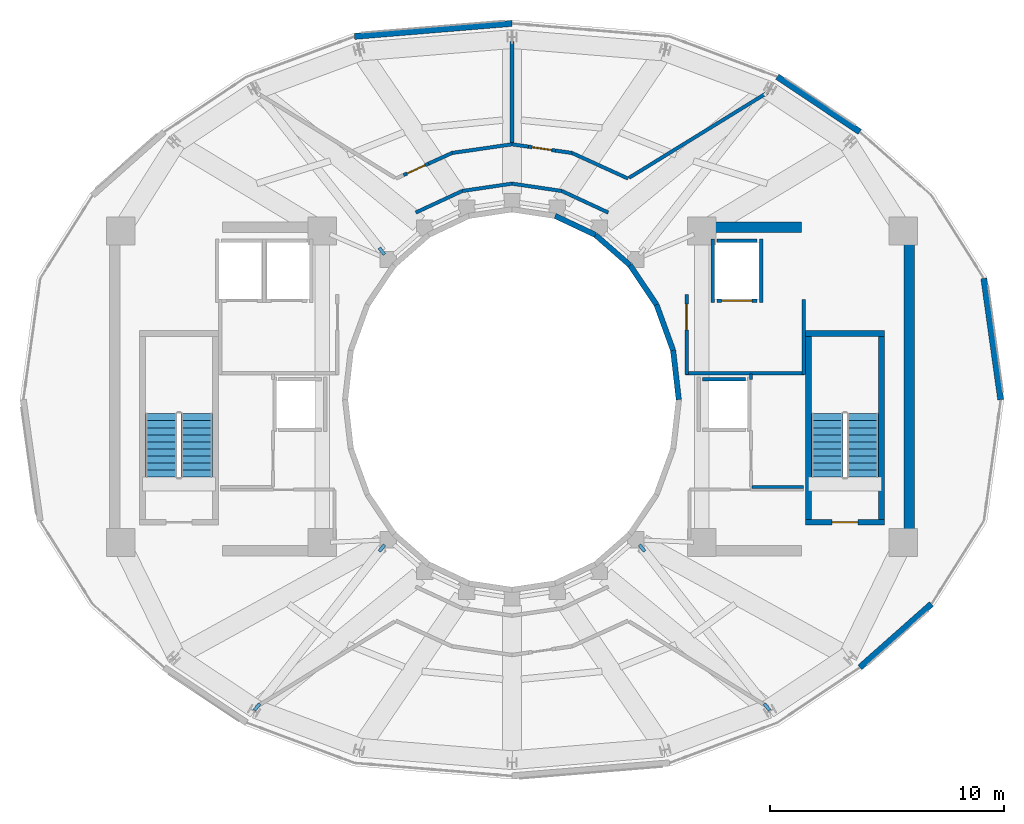
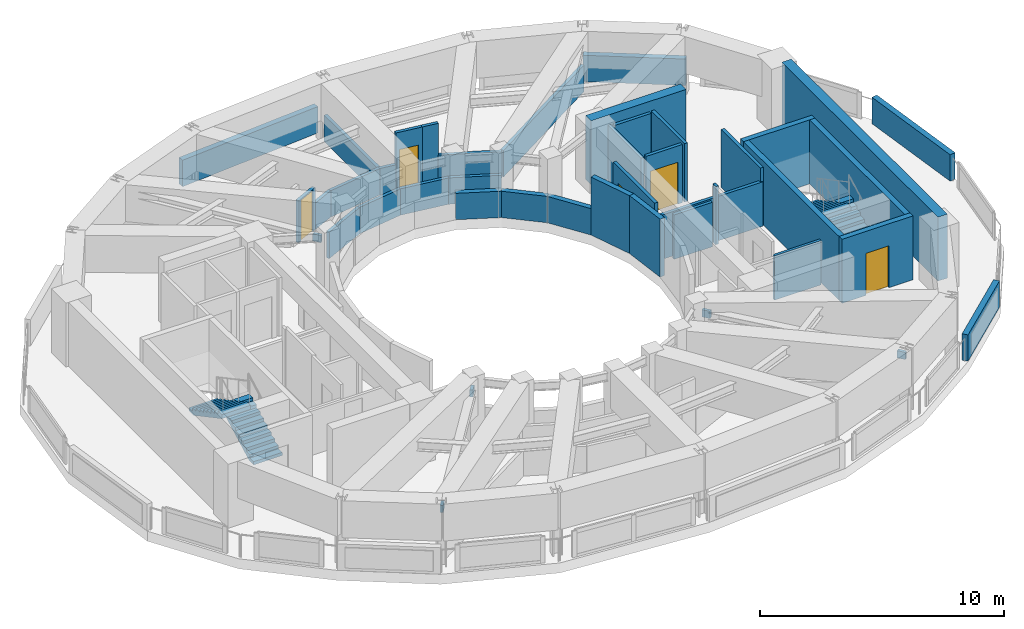
# One storey, part 17 of 21: 38 walls, 5 discrete accessories, 5 doors, 4 stair flights, 5 openings, 2 elements without a shape of their own.
"""IFC4 building model written with IfcOpenShell, lengths in metres."""

from ifc_helpers import new_model, si_unit, direction, frame, frame_2d, origin, origin_2d, place, context, subcontext, project, spatial, polyline, rectangle, outline, extrude, material, layer, layer_set, type_object, element, fill, aggregate, save


model = new_model("IFC4")

# Units and contexts
model_context = context("Model", 3, precision=1e-05, world=origin(), true_north=direction((0.0, 1.0)))
body_context = subcontext(model_context, "Body", "Model", "MODEL_VIEW")
ifc_project = project(units=[si_unit("LENGTHUNIT", "METRE"), si_unit("AREAUNIT", "SQUARE_METRE"), si_unit("VOLUMEUNIT", "CUBIC_METRE"), si_unit("PLANEANGLEUNIT", "RADIAN"), si_unit("MASSUNIT", "GRAM", prefix="KILO")], contexts=[model_context])

# Site, building, storey
site_placement = place(None, origin())
site = spatial("IfcSite", under=ifc_project, at=site_placement, CompositionType="ELEMENT")
building_placement = place(site_placement, origin())
building = spatial("IfcBuilding", under=site, at=building_placement, Name="Solvane Sanctuary Tower", CompositionType="ELEMENT")
storey_placement = place(building_placement, frame((0.0, 0.0, 260.39990234375)))
storey = spatial("IfcBuildingStorey", under=building, at=storey_placement, Name="L79", CompositionType="ELEMENT", Elevation=260.39990234375)

# Walls
ifc_material_1 = material(Name="Concrete C50/60", Category="concrete")
ifc_layer_1 = layer(ifc_material_1, 0.449951171875, Name="Concrete C50/60")
ifc_layer_set_1 = layer_set([ifc_layer_1], Name="Concrete C50/60")
wall_type_1 = type_object("IfcWallType", Name="Wall W-CORE-450", PredefinedType="SHEAR", material=ifc_layer_set_1)
wall_1_placement = place(storey_placement, frame((48.949951171875, 17.050048828125, 0.0), z_axis=(0.0, 0.0, 1.0), x_axis=(0.0, 1.0, 0.0)))
element("IfcWall", 1, at=wall_1_placement, inside=storey, type_object=wall_type_1, Name="L79 Core Shear Wall EC-E", PredefinedType="SHEAR", context=body_context, shape_type="SweptSolid", body=[
    extrude(rectangle(XDim=12.800048828125, YDim=0.449951171875, at=frame_2d((6.39990234375, 0.0))), origin(), (0.0, 0.0, 1.0), 3.2001953125),
])
wall_2_placement = place(storey_placement, frame((39.85009765625, 30.35009765625, 0.0), z_axis=(0.0, 0.0, 1.0), x_axis=(1.0, 0.0, 0.0)))
element("IfcWall", 2, at=wall_2_placement, inside=storey, type_object=wall_type_1, Name="L79 Core Shear Wall EC-N", PredefinedType="SHEAR", context=body_context, shape_type="SweptSolid", body=[
    extrude(rectangle(XDim=4.5, YDim=0.449951171875, at=frame_2d((2.25, 0.0))), origin(), (0.0, 0.0, 1.0), 3.2001953125),
])
ifc_material_2 = material(Name="Acoustic Gypsum Partition Board")
ifc_layer_2 = layer(ifc_material_2, 0.14990234375, Name="Acoustic Gypsum Partition Board")
ifc_layer_set_2 = layer_set([ifc_layer_2], Name="Acoustic Gypsum Partition Board")
wall_type_2 = type_object("IfcWallType", Name="Wall W-CORR-150", PredefinedType="PARTITIONING", material=ifc_layer_set_2)
wall_3_placement = place(storey_placement, frame((39.39990234375, 24.1201171875, 0.0), z_axis=(0.0, 0.0, 1.0), x_axis=(1.0, 0.0, 0.0)))
element("IfcWall", 3, at=wall_3_placement, inside=storey, type_object=wall_type_2, Name="L79 East Firefighting Lobby South Wall", PredefinedType="PARTITIONING", context=body_context, shape_type="SweptSolid", body=[
    extrude(rectangle(XDim=5.080078125, YDim=0.14990234375, at=frame_2d((2.5400390625, 0.0))), origin(), (0.0, 0.0, 1.0), 2.22021484375),
])
wall_4_placement = place(storey_placement, frame((44.449951171875, 24.080078125, 0.0), z_axis=(0.0, 0.0, 1.0), x_axis=(0.0, 1.0, 0.0)))
element("IfcWall", 4, at=wall_4_placement, inside=storey, type_object=wall_type_2, Name="L79 East Firefighting Lobby East Wall", PredefinedType="PARTITIONING", context=body_context, shape_type="SweptSolid", body=[
    extrude(rectangle(XDim=3.199951171875, YDim=0.14990234375, at=frame_2d((1.60009765625, 0.0))), origin(), (0.0, 0.0, 1.0), 2.9150390625),
])

# Wall, opening, door
wall_5_placement = place(storey_placement, frame((39.449951171875, 24.080078125, 0.0), z_axis=(0.0, 0.0, 1.0), x_axis=(0.0, 1.0, 0.0)))
wall_5 = element("IfcWall", 5, at=wall_5_placement, inside=storey, type_object=wall_type_2, Name="L79 East Firefighting Lobby West Wall", PredefinedType="PARTITIONING", context=body_context, shape_type="SweptSolid", body=[
    extrude(rectangle(XDim=3.39990234375, YDim=0.14990234375, at=frame_2d((1.699951171875, 0.0))), origin(), (0.0, 0.0, 1.0), 2.9150390625),
])
opening_1_placement = place(wall_5_placement, frame((1.893798828125, 0.0, 0.0)))
opening_1 = element("IfcOpeningElement", 6, at=opening_1_placement, cuts=wall_5, Name="Opening D-L79-04", PredefinedType="OPENING", context=body_context, shape_type="SweptSolid", body=[
    extrude(rectangle(XDim=1.10009765625, YDim=2.10009765625, at=frame_2d((0.550048828125, 1.050048828125))), frame((0.0, 0.0849609375, 0.0), z_axis=(0.0, -1.0, 0.0), x_axis=(1.0, 0.0, 0.0)), (0.0, 0.0, 1.0), 0.169921875),
])
ifc_material_3 = material(Name="Architectural Stainless Steel 316", Category="steel")
door_type_1 = type_object("IfcDoorType", Name="Door D-FFL", OperationType="NOTDEFINED", PredefinedType="DOOR", material=ifc_material_3)
door_1_placement = place(opening_1_placement, origin())
door_1 = element("IfcDoor", 7, at=door_1_placement, inside=storey, type_object=door_type_1, Name="L79 East Firefighting Lobby Fire Door", OperationType="SINGLE_SWING_RIGHT", OverallHeight=2.10009765625, OverallWidth=1.10009765625, PredefinedType="DOOR", context=body_context, shape_type="SweptSolid", body=[
    extrude(rectangle(XDim=1.10009765625, YDim=2.10009765625, at=frame_2d((0.550048828125, 1.050048828125))), frame((0.0, 0.02490234375, 0.0), z_axis=(0.0, -1.0, 0.0), x_axis=(1.0, 0.0, 0.0)), (0.0, 0.0, 1.0), 0.050048828125),
])
fill(opening_1, door_1)

# Walls
wall_6_placement = place(storey_placement, frame((36.110107421875, 30.98486328125, 0.0), z_axis=(0.0, 0.0, 1.0), x_axis=(-0.906943449489, 0.421252393975, 0.0)))
element("IfcWall", 8, at=wall_6_placement, inside=storey, type_object=wall_type_2, Name="L79 Light-Well Corridor Rim Wall N1", PredefinedType="PARTITIONING", context=body_context, shape_type="SweptSolid", body=[
    extrude(rectangle(XDim=2.18603515625, YDim=0.14990234375, at=frame_2d((1.093017578125, 0.0))), origin(), (0.0, 0.0, 1.0), 1.320068359375),
])
for number, where, z_axis, x_axis, name in (
    (9, (34.12744140625, 31.90576171875, 0.0), (0.0, 0.0, 1.0), (-0.989268584896, 0.146108408166, 0.0), "L79 Light-Well Corridor Rim Wall N2"),
    (10, (32.0, 32.219970703125, 0.0), (0.0, 0.0, 1.0), (-0.989268584896, -0.146108408166, 0.0), "L79 Light-Well Corridor Rim Wall N3"),
):
    element("IfcWall", number, at=place(storey_placement, frame(where, z_axis=z_axis, x_axis=x_axis)), inside=storey, type_object=wall_type_2, Name=name, PredefinedType="PARTITIONING", context=body_context, shape_type="SweptSolid", body=[
        extrude(rectangle(XDim=2.150634765625, YDim=0.14990234375, at=frame_2d((1.0751953125, 0.0))), origin(), (0.0, 0.0, 1.0), 1.320068359375),
    ])
wall_7_placement = place(storey_placement, frame((29.87255859375, 31.90576171875, 0.0), z_axis=(0.0, 0.0, 1.0), x_axis=(-0.906943449489, -0.421252393975, 0.0)))
element("IfcWall", 11, at=wall_7_placement, inside=storey, type_object=wall_type_2, Name="L79 Light-Well Corridor Rim Wall N4", PredefinedType="PARTITIONING", context=body_context, shape_type="SweptSolid", body=[
    extrude(rectangle(XDim=2.18603515625, YDim=0.14990234375, at=frame_2d((1.093017578125, 0.0))), origin(), (0.0, 0.0, 1.0), 1.320068359375),
])
wall_8_placement = place(storey_placement, frame((36.996826171875, 32.468505859375, 0.0), z_axis=(0.0, 0.0, 1.0), x_axis=(0.851425368576, 0.524475778035, 0.0)))
element("IfcWall", 12, at=wall_8_placement, inside=storey, type_object=wall_type_2, Name="L79 Mechanical Plant Radial Wall 060", PredefinedType="PARTITIONING", context=body_context, shape_type="SweptSolid", body=[
    extrude(rectangle(XDim=6.947509765625, YDim=0.14990234375, at=frame_2d((3.4736328125, 0.0))), origin(), (0.0, 0.0, 1.0), 1.320068359375),
])
wall_9_placement = place(storey_placement, frame((32.0, 33.955078125, 0.0), z_axis=(0.0, 0.0, 1.0), x_axis=(0.0, 1.0, 0.0)))
element("IfcWall", 13, at=wall_9_placement, inside=storey, type_object=wall_type_2, Name="L79 Mechanical Plant Radial Wall 090", PredefinedType="PARTITIONING", context=body_context, shape_type="SweptSolid", body=[
    extrude(rectangle(XDim=4.324951171875, YDim=0.14990234375, at=frame_2d((2.16259765625, 0.0))), origin(), (0.0, 0.0, 1.0), 1.320068359375),
])
wall_10_placement = place(storey_placement, frame((36.9560546875, 32.435791015625, 0.0), z_axis=(0.0, 0.0, 1.0), x_axis=(-0.909736731002, 0.415185597373, 0.0)))
element("IfcWall", 14, at=wall_10_placement, inside=storey, type_object=wall_type_2, Name="L79 Plant Corridor Wall 1", PredefinedType="PARTITIONING", context=body_context, shape_type="SweptSolid", body=[
    extrude(rectangle(XDim=2.63330078125, YDim=0.14990234375, at=frame_2d((1.316650390625, 0.0))), origin(), (0.0, 0.0, 1.0), 1.320068359375),
])
wall_11_placement = place(storey_placement, frame((34.56396484375, 33.528076171875, 0.0), z_axis=(0.0, 0.0, 1.0), x_axis=(-0.98967396594, 0.143336810138, 0.0)))
element("IfcWall", 15, at=wall_11_placement, inside=storey, type_object=wall_type_2, Name="L79 Plant Corridor Wall 1", PredefinedType="PARTITIONING", context=body_context, shape_type="SweptSolid", body=[
    extrude(rectangle(XDim=0.713623046875, YDim=0.14990234375, at=frame_2d((0.35693359375, 0.0))), origin(), (0.0, 0.0, 1.0), 2.9150390625),
])

# Wall, opening, door
wall_12_placement = place(storey_placement, frame((33.857666015625, 33.63037109375, 0.0), z_axis=(0.0, 0.0, 1.0), x_axis=(-0.989701767603, 0.143144721184, 0.0)))
wall_12 = element("IfcWall", 16, at=wall_12_placement, inside=storey, type_object=wall_type_2, Name="L79 Plant Corridor Wall 1", PredefinedType="PARTITIONING", context=body_context, shape_type="SweptSolid", body=[
    extrude(rectangle(XDim=1.169921875, YDim=0.14990234375, at=frame_2d((0.5849609375, 0.0))), origin(), (0.0, 0.0, 1.0), 2.9150390625),
])
opening_2_placement = place(wall_12_placement, frame((0.159912109375, 0.0, 0.0)))
opening_2 = element("IfcOpeningElement", 17, at=opening_2_placement, cuts=wall_12, Name="Opening D-L79-09", PredefinedType="OPENING", context=body_context, shape_type="SweptSolid", body=[
    extrude(rectangle(XDim=0.85009765625, YDim=2.050048828125, at=frame_2d((0.425048828125, 1.02490234375))), frame((0.0, 0.0849609375, 0.0), z_axis=(0.0, -1.0, 0.0), x_axis=(1.0, 0.0, 0.0)), (0.0, 0.0, 1.0), 0.169921875),
])
door_type_2 = type_object("IfcDoorType", Name="Door D-RISER", OperationType="NOTDEFINED", PredefinedType="DOOR", material=ifc_material_3)
door_2_placement = place(opening_2_placement, origin())
door_2 = element("IfcDoor", 18, at=door_2_placement, inside=storey, type_object=door_type_2, Name="L79 Plant Room Door 1", OperationType="SINGLE_SWING_LEFT", OverallHeight=2.050048828125, OverallWidth=0.85009765625, PredefinedType="DOOR", context=body_context, shape_type="SweptSolid", body=[
    extrude(rectangle(XDim=0.85009765625, YDim=2.050048828125, at=frame_2d((0.425048828125, 1.02490234375))), frame((0.0, 0.02490234375, 0.0), z_axis=(0.0, -1.0, 0.0), x_axis=(1.0, 0.0, 0.0)), (0.0, 0.0, 1.0), 0.050048828125),
])
fill(opening_2, door_2)

# Walls
wall_13_placement = place(storey_placement, frame((32.69970703125, 33.7978515625, 0.0), z_axis=(0.0, 0.0, 1.0), x_axis=(-0.989729432137, 0.142953318118, 0.0)))
element("IfcWall", 19, at=wall_13_placement, inside=storey, type_object=wall_type_2, Name="L79 Plant Corridor Wall 1", PredefinedType="PARTITIONING", context=body_context, shape_type="SweptSolid", body=[
    extrude(rectangle(XDim=0.7138671875, YDim=0.14990234375, at=frame_2d((0.35693359375, 0.0))), origin(), (0.0, 0.0, 1.0), 1.320068359375),
])
wall_14_placement = place(storey_placement, frame((32.0068359375, 33.89990234375, 0.0), z_axis=(0.0, 0.0, 1.0), x_axis=(-0.989701742337, -0.143144895876, 0.0)))
element("IfcWall", 20, at=wall_14_placement, inside=storey, type_object=wall_type_2, Name="L79 Plant Corridor Wall 2", PredefinedType="PARTITIONING", context=body_context, shape_type="SweptSolid", body=[
    extrude(rectangle(XDim=2.59765625, YDim=0.14990234375, at=frame_2d((1.298828125, 0.0))), origin(), (0.0, 0.0, 1.0), 1.320068359375),
])
wall_15_placement = place(storey_placement, frame((29.439453125, 33.529052734375, 0.0), z_axis=(0.0, 0.0, 1.0), x_axis=(-0.909797051829, -0.415053399557, 0.0)))
element("IfcWall", 21, at=wall_15_placement, inside=storey, type_object=wall_type_2, Name="L79 Plant Corridor Wall 2", PredefinedType="PARTITIONING", context=body_context, shape_type="SweptSolid", body=[
    extrude(rectangle(XDim=1.102783203125, YDim=0.14990234375, at=frame_2d((0.55126953125, 0.0))), origin(), (0.0, 0.0, 1.0), 1.320068359375),
])

# Wall, opening, door
wall_16_placement = place(storey_placement, frame((28.43603515625, 33.0712890625, 0.0), z_axis=(0.0, 0.0, 1.0), x_axis=(-0.90972227288, -0.415217275925, 0.0)))
wall_16 = element("IfcWall", 22, at=wall_16_placement, inside=storey, type_object=wall_type_2, Name="L79 Plant Corridor Wall 2", PredefinedType="PARTITIONING", context=body_context, shape_type="SweptSolid", body=[
    extrude(rectangle(XDim=1.170166015625, YDim=0.14990234375, at=frame_2d((0.5849609375, 0.0))), origin(), (0.0, 0.0, 1.0), 2.110107421875),
])
opening_3_placement = place(wall_16_placement, frame((0.159912109375, 0.0, 0.0)))
opening_3 = element("IfcOpeningElement", 23, at=opening_3_placement, cuts=wall_16, Name="Opening D-L79-10", PredefinedType="OPENING", context=body_context, shape_type="SweptSolid", body=[
    extrude(rectangle(XDim=0.85009765625, YDim=2.050048828125, at=frame_2d((0.425048828125, 1.02490234375))), frame((0.0, 0.0849609375, 0.0), z_axis=(0.0, -1.0, 0.0), x_axis=(1.0, 0.0, 0.0)), (0.0, 0.0, 1.0), 0.169921875),
])
door_3_placement = place(opening_3_placement, origin())
door_3 = element("IfcDoor", 24, at=door_3_placement, inside=storey, type_object=door_type_2, Name="L79 Plant Room Door 2", OperationType="SINGLE_SWING_RIGHT", OverallHeight=2.050048828125, OverallWidth=0.85009765625, PredefinedType="DOOR", context=body_context, shape_type="SweptSolid", body=[
    extrude(rectangle(XDim=0.85009765625, YDim=2.050048828125, at=frame_2d((0.425048828125, 1.02490234375))), frame((0.0, 0.02490234375, 0.0), z_axis=(0.0, -1.0, 0.0), x_axis=(1.0, 0.0, 0.0)), (0.0, 0.0, 1.0), 0.050048828125),
])
fill(opening_3, door_3)

# Walls
ifc_material_4 = material(Name="Precast concrete C40/50", Category="concrete")
ifc_layer_3 = layer(ifc_material_4, 0.260009765625, Name="Precast concrete C40/50")
ifc_layer_set_3 = layer_set([ifc_layer_3], Name="Precast concrete C40/50")
wall_type_3 = type_object("IfcWallType", Name="Wall W-EXT-250", PredefinedType="STANDARD", material=ifc_layer_set_3)
wall_17_placement = place(storey_placement, frame((52.860107421875, 23.0, 0.0), z_axis=(0.0, 0.0, 1.0), x_axis=(-0.137952971577, 0.990438780356, 0.0)))
element("IfcWall", 25, at=wall_17_placement, inside=storey, type_object=wall_type_3, Name="L79 Crown Acoustic Louvred Wall 00", PredefinedType="STANDARD", context=body_context, shape_type="SweptSolid", body=[
    extrude(rectangle(XDim=5.224365234375, YDim=0.260009765625, at=frame_2d((2.6123046875, 0.0))), origin(), (0.0, 0.0, 1.0), 1.320068359375),
])
wall_18_placement = place(storey_placement, frame((46.845947265625, 34.429931640625, 0.0), z_axis=(0.0, 0.0, 1.0), x_axis=(-0.831241989861, 0.555910743098, 0.0)))
element("IfcWall", 26, at=wall_18_placement, inside=storey, type_object=wall_type_3, Name="L79 Crown Acoustic Louvred Wall 03", PredefinedType="STANDARD", context=body_context, shape_type="SweptSolid", body=[
    extrude(rectangle(XDim=4.233154296875, YDim=0.260009765625, at=frame_2d((2.11669921875, 0.0))), origin(), (0.0, 0.0, 1.0), 1.320068359375),
])
wall_19_placement = place(storey_placement, frame((32.0, 39.06005859375, 0.0), z_axis=(0.0, 0.0, 1.0), x_axis=(-0.99660839131, -0.082290426963, 0.0)))
element("IfcWall", 27, at=wall_19_placement, inside=storey, type_object=wall_type_3, Name="L79 Crown Acoustic Louvred Wall 06", PredefinedType="STANDARD", context=body_context, shape_type="SweptSolid", body=[
    extrude(rectangle(XDim=6.74365234375, YDim=0.260009765625, at=frame_2d((3.371826171875, 0.0))), origin(), (0.0, 0.0, 1.0), 1.320068359375),
])
wall_20_placement = place(storey_placement, frame((46.845947265625, 11.570068359375, 0.0), z_axis=(0.0, 0.0, 1.0), x_axis=(0.74835503106, 0.663298384958, 0.0)))
element("IfcWall", 28, at=wall_20_placement, inside=storey, type_object=wall_type_3, Name="L79 Crown Acoustic Louvred Wall 21", PredefinedType="STANDARD", context=body_context, shape_type="SweptSolid", body=[
    extrude(rectangle(XDim=4.08447265625, YDim=0.260009765625, at=frame_2d((2.042236328125, 0.0))), origin(), (0.0, 0.0, 1.0), 1.320068359375),
])
ifc_layer_4 = layer(ifc_material_4, 0.22998046875, Name="Precast concrete C40/50")
ifc_layer_set_4 = layer_set([ifc_layer_4], Name="Precast concrete C40/50")
wall_type_4 = type_object("IfcWallType", Name="Wall W-EXT-SP220", PredefinedType="STANDARD", material=ifc_layer_set_4)
wall_21_placement = place(storey_placement, frame((39.1201171875, 23.0, 0.0), z_axis=(0.0, 0.0, 1.0), x_axis=(-0.114711713601, 0.993398823617, 0.0)))
element("IfcWall", 29, at=wall_21_placement, inside=storey, type_object=wall_type_4, Name="L79 Central Light-Well Wall 00", PredefinedType="STANDARD", context=body_context, shape_type="SweptSolid", body=[
    extrude(rectangle(XDim=2.115478515625, YDim=0.22998046875, at=frame_2d((1.0576171875, 0.0))), origin(), (0.0, 0.0, 1.0), 2.900146484375),
])
wall_22_placement = place(storey_placement, frame((38.87744140625, 25.1015625, 0.0), z_axis=(0.0, 0.0, 1.0), x_axis=(-0.341423187295, 0.93990968033, 0.0)))
element("IfcWall", 30, at=wall_22_placement, inside=storey, type_object=wall_type_4, Name="L79 Central Light-Well Wall 01", PredefinedType="STANDARD", context=body_context, shape_type="SweptSolid", body=[
    extrude(rectangle(XDim=2.083740234375, YDim=0.22998046875, at=frame_2d((1.0419921875, 0.0))), origin(), (0.0, 0.0, 1.0), 2.900146484375),
])
wall_23_placement = place(storey_placement, frame((38.166015625, 27.06005859375, 0.0), z_axis=(0.0, 0.0, 1.0), x_axis=(-0.558197800898, 0.829707909492, 0.0)))
element("IfcWall", 31, at=wall_23_placement, inside=storey, type_object=wall_type_4, Name="L79 Central Light-Well Wall 02", PredefinedType="STANDARD", context=body_context, shape_type="SweptSolid", body=[
    extrude(rectangle(XDim=2.02685546875, YDim=0.22998046875, at=frame_2d((1.013427734375, 0.0))), origin(), (0.0, 0.0, 1.0), 1.320068359375),
])
wall_24_placement = place(storey_placement, frame((37.03466796875, 28.74169921875, 0.0), z_axis=(0.0, 0.0, 1.0), x_axis=(-0.752576694707, 0.658504607869, 0.0)))
element("IfcWall", 32, at=wall_24_placement, inside=storey, type_object=wall_type_4, Name="L79 Central Light-Well Wall 03", PredefinedType="STANDARD", context=body_context, shape_type="SweptSolid", body=[
    extrude(rectangle(XDim=1.95947265625, YDim=0.22998046875, at=frame_2d((0.979736328125, 0.0))), origin(), (0.0, 0.0, 1.0), 1.320068359375),
])
wall_25_placement = place(storey_placement, frame((35.56005859375, 30.031982421875, 0.0), z_axis=(0.0, 0.0, 1.0), x_axis=(-0.904179699603, 0.427152280606, 0.0)))
element("IfcWall", 33, at=wall_25_placement, inside=storey, type_object=wall_type_4, Name="L79 Central Light-Well Wall 04", PredefinedType="STANDARD", context=body_context, shape_type="SweptSolid", body=[
    extrude(rectangle(XDim=1.899169921875, YDim=0.22998046875, at=frame_2d((0.94970703125, 0.0))), origin(), (0.0, 0.0, 1.0), 1.320068359375),
])
ifc_layer_5 = layer(ifc_material_2, 0.125, Name="Acoustic Gypsum Partition Board")
ifc_layer_set_5 = layer_set([ifc_layer_5], Name="Acoustic Gypsum Partition Board")
wall_type_5 = type_object("IfcWallType", Name="Wall W-PART-125", PredefinedType="PARTITIONING", material=ifc_layer_set_5)
wall_26_placement = place(storey_placement, frame((42.199951171875, 23.85009765625, 0.0), z_axis=(0.0, 0.0, 1.0), x_axis=(0.0, 1.0, 0.0)))
element("IfcWall", 34, at=wall_26_placement, inside=storey, type_object=wall_type_5, Name="L79 Reclaimed Room Dividing Wall PME", PredefinedType="PARTITIONING", context=body_context, shape_type="SweptSolid", body=[
    extrude(rectangle(XDim=0.25, YDim=0.125, at=frame_2d((0.125, 0.0))), origin(), (0.0, 0.0, 1.0), 2.9150390625),
])
wall_27_placement = place(storey_placement, frame((42.239990234375, 19.280029296875, 0.0), z_axis=(0.0, 0.0, 1.0), x_axis=(1.0, 0.0, 0.0)))
element("IfcWall", 35, at=wall_27_placement, inside=storey, type_object=wall_type_5, Name="L79 Reclaimed Room Closer Wall PME-1", PredefinedType="PARTITIONING", context=body_context, shape_type="SweptSolid", body=[
    extrude(rectangle(XDim=2.2099609375, YDim=0.125, at=frame_2d((1.10498046875, 0.0))), origin(), (0.0, 0.0, 1.0), 2.22021484375),
])
ifc_layer_6 = layer(ifc_material_1, 0.14990234375, Name="Concrete C50/60")
ifc_layer_set_6 = layer_set([ifc_layer_6], Name="Concrete C50/60")
wall_type_6 = type_object("IfcWallType", Name="Wall W-SHAFT-150", PredefinedType="SOLIDWALL", material=ifc_layer_set_6)
wall_28_placement = place(storey_placement, frame((40.139892578125, 23.8798828125, 0.0), z_axis=(0.0, 0.0, 1.0), x_axis=(1.0, 0.0, 0.0)))
element("IfcWall", 36, at=wall_28_placement, inside=storey, type_object=wall_type_6, Name="L79 PH-2 Lift Shaft Wall B", PredefinedType="SOLIDWALL", context=body_context, shape_type="SweptSolid", body=[
    extrude(rectangle(XDim=1.820068359375, YDim=0.14990234375, at=frame_2d((0.91015625, 0.0))), origin(), (0.0, 0.0, 1.0), 2.22021484375),
])

# Wall, opening, door
wall_29_placement = place(storey_placement, frame((40.739990234375, 27.219970703125, 0.0), z_axis=(0.0, 0.0, 1.0), x_axis=(1.0, 0.0, 0.0)))
wall_29 = element("IfcWall", 37, at=wall_29_placement, inside=storey, type_object=wall_type_6, Name="L79 FFL-2 Lift Shaft Wall F", PredefinedType="SOLIDWALL", context=body_context, shape_type="SweptSolid", body=[
    extrude(rectangle(XDim=1.719970703125, YDim=0.14990234375, at=frame_2d((0.85986328125, 0.0))), origin(), (0.0, 0.0, 1.0), 2.9150390625),
])
opening_4_placement = place(wall_29_placement, frame((0.2099609375, 0.0, 0.0)))
opening_4 = element("IfcOpeningElement", 38, at=opening_4_placement, cuts=wall_29, Name="Opening LD-L79-03", PredefinedType="OPENING", context=body_context, shape_type="SweptSolid", body=[
    extrude(rectangle(XDim=1.300048828125, YDim=2.10009765625, at=frame_2d((0.64990234375, 1.050048828125))), frame((0.0, 0.0849609375, 0.0), z_axis=(0.0, -1.0, 0.0), x_axis=(1.0, 0.0, 0.0)), (0.0, 0.0, 1.0), 0.169921875),
])
door_type_3 = type_object("IfcDoorType", Name="Door LD-FFL-1300", OperationType="NOTDEFINED", PredefinedType="DOOR", material=ifc_material_3)
door_4_placement = place(opening_4_placement, origin())
door_4 = element("IfcDoor", 39, at=door_4_placement, inside=storey, type_object=door_type_3, Name="L79 FFL-2 Lift Landing Door", OperationType="DOUBLE_DOOR_SLIDING", OverallHeight=2.10009765625, OverallWidth=1.300048828125, PredefinedType="DOOR", context=body_context, shape_type="SweptSolid", body=[
    extrude(rectangle(XDim=1.300048828125, YDim=2.10009765625, at=frame_2d((0.64990234375, 1.050048828125))), frame((0.0, 0.02490234375, 0.0), z_axis=(0.0, -1.0, 0.0), x_axis=(1.0, 0.0, 0.0)), (0.0, 0.0, 1.0), 0.050048828125),
])
fill(opening_4, door_4)

# Walls
wall_30_placement = place(storey_placement, frame((40.739990234375, 29.780029296875, 0.0), z_axis=(0.0, 0.0, 1.0), x_axis=(1.0, 0.0, 0.0)))
element("IfcWall", 40, at=wall_30_placement, inside=storey, type_object=wall_type_6, Name="L79 FFL-2 Lift Shaft Wall B", PredefinedType="SOLIDWALL", context=body_context, shape_type="SweptSolid", body=[
    extrude(rectangle(XDim=1.719970703125, YDim=0.14990234375, at=frame_2d((0.85986328125, 0.0))), origin(), (0.0, 0.0, 1.0), 2.9150390625),
])
for number, where, z_axis, x_axis, name in (
    (41, (40.570068359375, 27.139892578125, 0.0), (0.0, 0.0, 1.0), (0.0, 1.0, 0.0), "L79 FFL-2 Lift Shaft Wall S1"),
    (42, (42.6298828125, 27.139892578125, 0.0), (0.0, 0.0, 1.0), (0.0, 1.0, 0.0), "L79 FFL-2 Lift Shaft Wall S2"),
):
    element("IfcWall", number, at=place(storey_placement, frame(where, z_axis=z_axis, x_axis=x_axis)), inside=storey, type_object=wall_type_6, Name=name, PredefinedType="SOLIDWALL", context=body_context, shape_type="SweptSolid", body=[
        extrude(rectangle(XDim=2.72021484375, YDim=0.14990234375, at=frame_2d((1.360107421875, 0.0))), origin(), (0.0, 0.0, 1.0), 2.9150390625),
    ])

# Wall, opening, door
ifc_layer_7 = layer(ifc_material_1, 0.25, Name="Concrete C50/60")
ifc_layer_set_7 = layer_set([ifc_layer_7], Name="Concrete C50/60")
wall_type_7 = type_object("IfcWallType", Name="Wall W-SHAFT-250", PredefinedType="SOLIDWALL", material=ifc_layer_set_7)
wall_31_placement = place(storey_placement, frame((44.52490234375, 17.77001953125, 0.0), z_axis=(0.0, 0.0, 1.0), x_axis=(1.0, 0.0, 0.0)))
wall_31 = element("IfcWall", 43, at=wall_31_placement, inside=storey, type_object=wall_type_7, Name="L79 ST-2 Load-Bearing Shaft Wall S", PredefinedType="SOLIDWALL", context=body_context, shape_type="SweptSolid", body=[
    extrude(rectangle(XDim=3.3701171875, YDim=0.25, at=frame_2d((1.68505859375, 0.0))), origin(), (0.0, 0.0, 1.0), 3.2001953125),
])
opening_5_placement = place(wall_31_placement, frame((1.135009765625, 0.0, 0.0)))
opening_5 = element("IfcOpeningElement", 44, at=opening_5_placement, cuts=wall_31, Name="Opening D-L79-02", PredefinedType="OPENING", context=body_context, shape_type="SweptSolid", body=[
    extrude(rectangle(XDim=1.10009765625, YDim=2.10009765625, at=frame_2d((0.550048828125, 1.050048828125))), frame((0.0, 0.135009765625, 0.0), z_axis=(0.0, -1.0, 0.0), x_axis=(1.0, 0.0, 0.0)), (0.0, 0.0, 1.0), 0.27001953125),
])
door_type_4 = type_object("IfcDoorType", Name="Door D-STAIR", OperationType="NOTDEFINED", PredefinedType="DOOR", material=ifc_material_3)
door_5_placement = place(opening_5_placement, origin())
door_5 = element("IfcDoor", 45, at=door_5_placement, inside=storey, type_object=door_type_4, Name="L79 ST-2 Exit Stair Fire Door", OperationType="SINGLE_SWING_RIGHT", OverallHeight=2.10009765625, OverallWidth=1.10009765625, PredefinedType="DOOR", context=body_context, shape_type="SweptSolid", body=[
    extrude(rectangle(XDim=1.10009765625, YDim=2.10009765625, at=frame_2d((0.550048828125, 1.050048828125))), frame((0.0, 0.02490234375, 0.0), z_axis=(0.0, -1.0, 0.0), x_axis=(1.0, 0.0, 0.0)), (0.0, 0.0, 1.0), 0.050048828125),
])
fill(opening_5, door_5)

# Walls
wall_32_placement = place(storey_placement, frame((44.52490234375, 25.830078125, 0.0), z_axis=(0.0, 0.0, 1.0), x_axis=(1.0, 0.0, 0.0)))
element("IfcWall", 46, at=wall_32_placement, inside=storey, type_object=wall_type_7, Name="L79 ST-2 Load-Bearing Shaft Wall N", PredefinedType="SOLIDWALL", context=body_context, shape_type="SweptSolid", body=[
    extrude(rectangle(XDim=3.3701171875, YDim=0.25, at=frame_2d((1.68505859375, 0.0))), origin(), (0.0, 0.0, 1.0), 3.2001953125),
])
for number, where, z_axis, x_axis, name in (
    (47, (44.64990234375, 17.89501953125, 0.0), (0.0, 0.0, 1.0), (0.0, 1.0, 0.0), "L79 ST-2 Load-Bearing Shaft Wall W"),
    (48, (47.77001953125, 17.89501953125, 0.0), (0.0, 0.0, 1.0), (0.0, 1.0, 0.0), "L79 ST-2 Load-Bearing Shaft Wall E"),
):
    element("IfcWall", number, at=place(storey_placement, frame(where, z_axis=z_axis, x_axis=x_axis)), inside=storey, type_object=wall_type_7, Name=name, PredefinedType="SOLIDWALL", context=body_context, shape_type="SweptSolid", body=[
        extrude(rectangle(XDim=7.81005859375, YDim=0.25, at=frame_2d((3.905029296875, 0.0))), origin(), (0.0, 0.0, 1.0), 3.2001953125),
    ])

# Stair, stair flights
ifc_material_5 = material(Name="Concrete C45/55", Category="concrete")
stair_type = type_object("IfcStairType", Name="Stair ST-TOW", PredefinedType="HALF_TURN_STAIR", material=ifc_material_5)
stair_1_placement = place(storey_placement, origin())
stair_1 = element("IfcStair", 49, at=stair_1_placement, inside=storey, type_object=stair_type, Name="L79 Exit Stair ST-1 West Core", PredefinedType="HALF_TURN_STAIR")
stair_flight_type = type_object("IfcStairFlightType", Name="StairFlight SF-TOW", PredefinedType="STRAIGHT", material=ifc_material_5)
stair_flight_1_placement = place(storey_placement, frame((18.544921875, 19.699951171875, 0.0), z_axis=(0.0, 0.0, 1.0), x_axis=(0.0, 1.0, 0.0)))
stair_flight_1 = element("IfcStairFlight", 50, at=stair_flight_1_placement, type_object=stair_flight_type, Name="ST-1 flight 1", NumberOfRisers=10, NumberOfTreads=9, PredefinedType="STRAIGHT", RiserHeight=0.16, TreadLength=0.3, context=body_context, shape_type="SweptSolid", body=[
    extrude(outline(polyline([(0.0, 0.0), (0.0, 0.159912109375), (0.300048828125, 0.159912109375), (0.300048828125, 0.320068359375), (0.60009765625, 0.320068359375), (0.60009765625, 0.47998046875), (0.89990234375, 0.47998046875), (0.89990234375, 0.639892578125), (1.199951171875, 0.639892578125), (1.199951171875, 0.800048828125), (1.5, 0.800048828125), (1.5, 0.9599609375), (1.800048828125, 0.9599609375), (1.800048828125, 1.1201171875), (2.10009765625, 1.1201171875), (2.10009765625, 1.280029296875), (2.39990234375, 1.280029296875), (2.39990234375, 1.43994140625), (2.699951171875, 1.43994140625), (2.699951171875, 1.60009765625), (2.699951171875, 1.236083984375), (0.38232421875, 0.0), (0.0, 0.0)])), frame((0.0, 0.675048828125, 0.0), z_axis=(0.0, -1.0, 0.0), x_axis=(1.0, 0.0, 0.0)), (0.0, 0.0, 1.0), 1.35009765625),
])
stair_flight_2_placement = place(storey_placement, frame((17.034912109375, 22.39990234375, 1.60009765625), z_axis=(0.0, 0.0, 1.0), x_axis=(0.0, -1.0, 0.0)))
stair_flight_2 = element("IfcStairFlight", 51, at=stair_flight_2_placement, type_object=stair_flight_type, Name="ST-1 flight 2", NumberOfRisers=10, NumberOfTreads=9, PredefinedType="STRAIGHT", RiserHeight=0.16, TreadLength=0.3, context=body_context, shape_type="SweptSolid", body=[
    extrude(outline(polyline([(0.0, 0.0), (0.0, 0.159912109375), (0.300048828125, 0.159912109375), (0.300048828125, 0.320068359375), (0.60009765625, 0.320068359375), (0.60009765625, 0.47998046875), (0.89990234375, 0.47998046875), (0.89990234375, 0.639892578125), (1.199951171875, 0.639892578125), (1.199951171875, 0.800048828125), (1.5, 0.800048828125), (1.5, 0.9599609375), (1.800048828125, 0.9599609375), (1.800048828125, 1.1201171875), (2.10009765625, 1.1201171875), (2.10009765625, 1.280029296875), (2.39990234375, 1.280029296875), (2.39990234375, 1.43994140625), (2.699951171875, 1.43994140625), (2.699951171875, 1.60009765625), (2.699951171875, 1.236083984375), (0.38232421875, 0.0), (0.0, 0.0)])), frame((0.0, 0.675048828125, 0.0), z_axis=(0.0, -1.0, 0.0), x_axis=(1.0, 0.0, 0.0)), (0.0, 0.0, 1.0), 1.35009765625),
])
aggregate(stair_1, [stair_flight_1, stair_flight_2])

stair_2_placement = place(storey_placement, origin())
stair_2 = element("IfcStair", 52, at=stair_2_placement, inside=storey, type_object=stair_type, Name="L79 Exit Stair ST-2 East Core", PredefinedType="HALF_TURN_STAIR")
stair_flight_3_placement = place(storey_placement, frame((46.965087890625, 19.699951171875, 0.0), z_axis=(0.0, 0.0, 1.0), x_axis=(0.0, 1.0, 0.0)))
stair_flight_3 = element("IfcStairFlight", 53, at=stair_flight_3_placement, type_object=stair_flight_type, Name="ST-2 flight 1", NumberOfRisers=10, NumberOfTreads=9, PredefinedType="STRAIGHT", RiserHeight=0.16, TreadLength=0.3, context=body_context, shape_type="SweptSolid", body=[
    extrude(outline(polyline([(0.0, 0.0), (0.0, 0.159912109375), (0.300048828125, 0.159912109375), (0.300048828125, 0.320068359375), (0.60009765625, 0.320068359375), (0.60009765625, 0.47998046875), (0.89990234375, 0.47998046875), (0.89990234375, 0.639892578125), (1.199951171875, 0.639892578125), (1.199951171875, 0.800048828125), (1.5, 0.800048828125), (1.5, 0.9599609375), (1.800048828125, 0.9599609375), (1.800048828125, 1.1201171875), (2.10009765625, 1.1201171875), (2.10009765625, 1.280029296875), (2.39990234375, 1.280029296875), (2.39990234375, 1.43994140625), (2.699951171875, 1.43994140625), (2.699951171875, 1.60009765625), (2.699951171875, 1.236083984375), (0.38232421875, 0.0), (0.0, 0.0)])), frame((0.0, 0.675048828125, 0.0), z_axis=(0.0, -1.0, 0.0), x_axis=(1.0, 0.0, 0.0)), (0.0, 0.0, 1.0), 1.35009765625),
])
stair_flight_4_placement = place(storey_placement, frame((45.455078125, 22.39990234375, 1.60009765625), z_axis=(0.0, 0.0, 1.0), x_axis=(0.0, -1.0, 0.0)))
stair_flight_4 = element("IfcStairFlight", 54, at=stair_flight_4_placement, type_object=stair_flight_type, Name="ST-2 flight 2", NumberOfRisers=10, NumberOfTreads=9, PredefinedType="STRAIGHT", RiserHeight=0.16, TreadLength=0.3, context=body_context, shape_type="SweptSolid", body=[
    extrude(outline(polyline([(0.0, 0.0), (0.0, 0.159912109375), (0.300048828125, 0.159912109375), (0.300048828125, 0.320068359375), (0.60009765625, 0.320068359375), (0.60009765625, 0.47998046875), (0.89990234375, 0.47998046875), (0.89990234375, 0.639892578125), (1.199951171875, 0.639892578125), (1.199951171875, 0.800048828125), (1.5, 0.800048828125), (1.5, 0.9599609375), (1.800048828125, 0.9599609375), (1.800048828125, 1.1201171875), (2.10009765625, 1.1201171875), (2.10009765625, 1.280029296875), (2.39990234375, 1.280029296875), (2.39990234375, 1.43994140625), (2.699951171875, 1.43994140625), (2.699951171875, 1.60009765625), (2.699951171875, 1.236083984375), (0.38232421875, 0.0), (0.0, 0.0)])), frame((0.0, 0.675048828125, 0.0), z_axis=(0.0, -1.0, 0.0), x_axis=(1.0, 0.0, 0.0)), (0.0, 0.0, 1.0), 1.35009765625),
])
aggregate(stair_2, [stair_flight_3, stair_flight_4])

# Discrete accessories
ifc_material_6 = material(Name="Steel ASTM A572 Grade 50", Category="steel")
ifc_layer_8 = layer(ifc_material_6, 0.360107421875, Name="Steel ASTM A572 Grade 50")
ifc_layer_set_8 = layer_set([ifc_layer_8], Name="Steel ASTM A572 Grade 50")
discrete_accessory_type = type_object("IfcDiscreteAccessoryType", Name="Accessory ACC-GUSSET-BRK", PredefinedType="BRACKET", material=ifc_layer_set_8)
for number, where, z_axis, x_axis, name in (
    (55, (26.447021484375, 29.3359375, 2.3603515625), (0.0, 0.0, 1.0), (-0.61772237046, 0.786396257006, 0.0), "L79 Crown Bracing Tie 07 End Gusset Bracket A"),
    (56, (26.447021484375, 16.6640625, 2.3603515625), (0.0, 0.0, 1.0), (-0.61772237046, -0.786396257006, 0.0), "L79 Crown Bracing Tie 08 End Gusset Bracket A"),
    (57, (21.119384765625, 9.882080078125, 2.55517578125), (0.0, 0.0, 1.0), (-0.61772237046, -0.786396257006, 0.0), "L79 Crown Bracing Tie 08 End Gusset Bracket B"),
    (58, (37.552978515625, 16.6640625, 2.3603515625), (0.0, 0.0, 1.0), (0.61772237046, -0.786396257006, 0.0), "L79 Crown Bracing Tie 14 End Gusset Bracket A"),
    (59, (42.880615234375, 9.882080078125, 2.55517578125), (0.0, 0.0, 1.0), (0.61772237046, -0.786396257006, 0.0), "L79 Crown Bracing Tie 14 End Gusset Bracket B"),
):
    element("IfcDiscreteAccessory", number, at=place(storey_placement, frame(where, z_axis=z_axis, x_axis=x_axis)), inside=storey, type_object=discrete_accessory_type, Name=name, PredefinedType="BRACKET", context=body_context, shape_type="SweptSolid", body=[
        extrude(rectangle(XDim=0.360107421875, YDim=0.139892578125, at=origin_2d()), origin(), (0.0, 0.0, 1.0), 0.360107421875),
    ])

save(model, "model.ifc")
